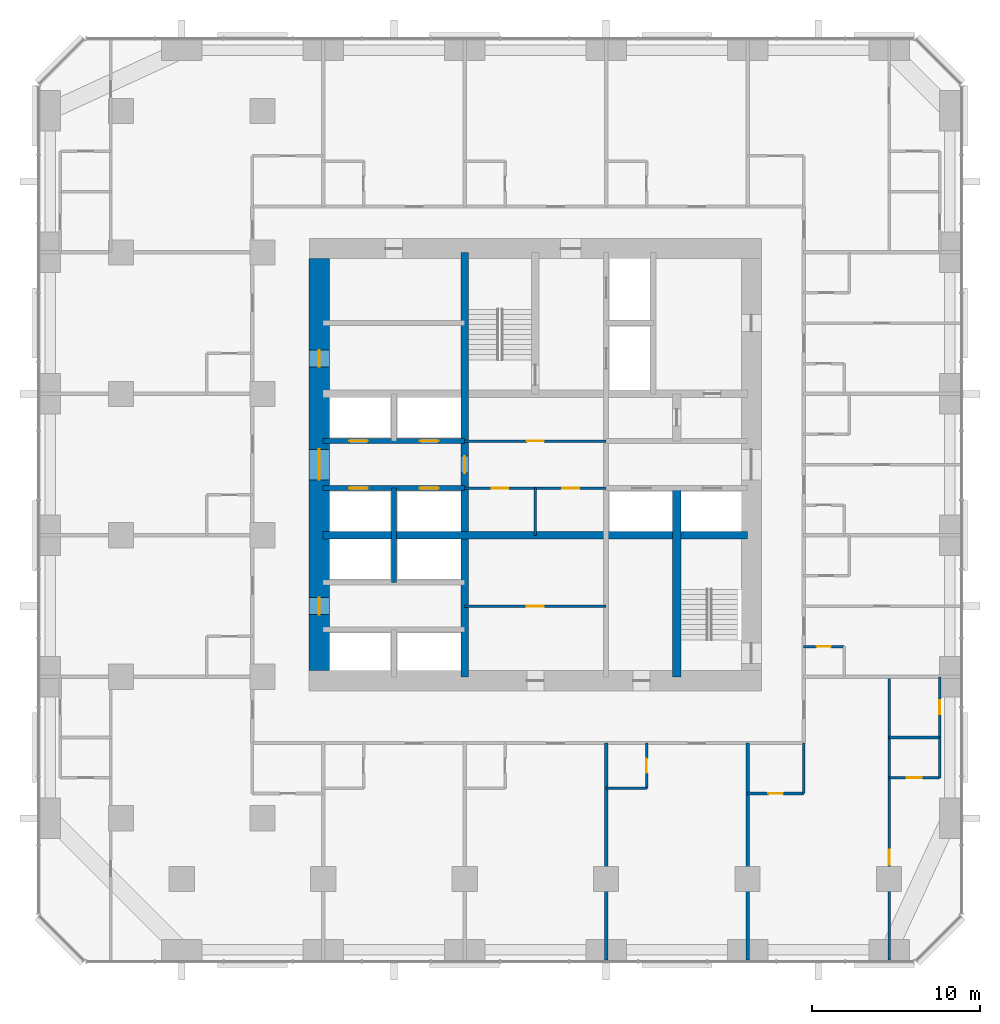
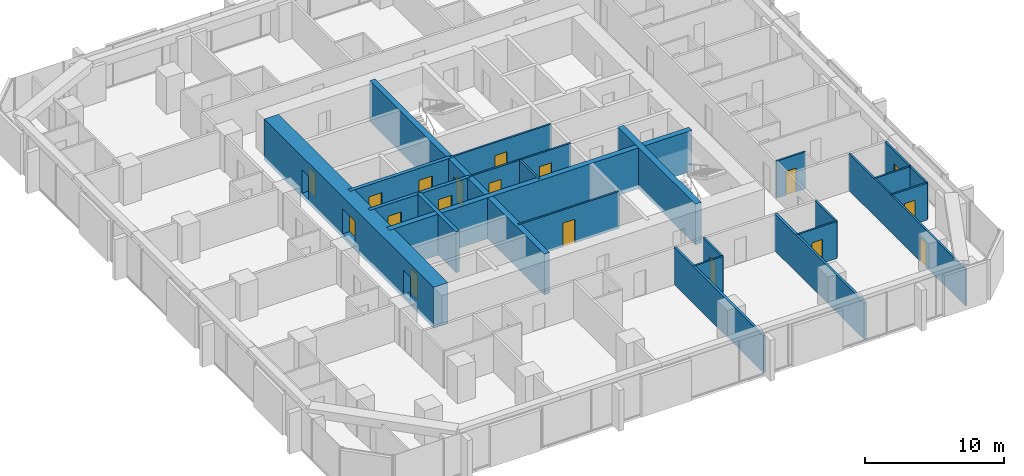
# One storey, part 9 of 13: 23 walls, 18 doors, 18 openings.
"""IFC4 building model written with IfcOpenShell, lengths in metres."""

import ifcopenshell
import ifcopenshell.guid

model = None  # the IFC model being written
_history = None  # IfcOwnerHistory: only IFC2X3 demands one
_inside = {}  # id of a spatial element -> (the spatial element, [elements in it])
_under = {}  # id of a project, library or spatial element -> (it, [spatial elements below it])
_declared = {}  # id of a project -> (the project, [libraries it declares])
_typed = {}  # id of a type object -> (the type object, [elements of that type])
_made_of = {}  # id of a material, layer set ... -> (it, [elements and type objects made of it])


def new_model(schema):
    """Start an empty IFC model of exactly this schema.

    Asked for "IFC4X3", IfcOpenShell would pick the latest addendum, in which some entities
    have other attributes; the version numbers below select the first issue.
    IFC2X3 requires an IfcOwnerHistory on every rooted entity: one is made here for all.
    """
    global model, _history
    if schema == "IFC4X3":
        model = ifcopenshell.file(schema_version=(4, 3, 0, 0))
    else:
        model = ifcopenshell.file(schema=schema)
    _inside.clear()
    _under.clear()
    _declared.clear()
    _typed.clear()
    _made_of.clear()
    _history = None
    if model.schema == "IFC2X3":
        org = make("IfcOrganization", Name="unknown")
        user = make(
            "IfcPersonAndOrganization",
            ThePerson=make("IfcPerson", FamilyName="unknown"),
            TheOrganization=org,
        )
        app = make(
            "IfcApplication",
            ApplicationDeveloper=org,
            Version="unknown",
            ApplicationFullName="unknown",
            ApplicationIdentifier="unknown",
        )
        _history = make(
            "IfcOwnerHistory",
            OwningUser=user,
            OwningApplication=app,
            ChangeAction="ADDED",
            CreationDate=0,
        )
    return model


def make(cls, **values):
    """One entity of the class cls with the attributes given. An attribute that is None is left unset."""
    return model.create_entity(
        cls, **{name: value for name, value in values.items() if value is not None}
    )


def rooted(cls, **values):
    """An entity with a GlobalId (a new one), such as an element, a storey or a relation."""
    return make(cls, GlobalId=ifcopenshell.guid.new(), OwnerHistory=_history, **values)


def si_unit(unit_type, name, prefix=None):
    """IfcSIUnit, for example si_unit("LENGTHUNIT", "METRE", prefix="MILLI")."""
    return make("IfcSIUnit", UnitType=unit_type, Prefix=prefix, Name=name)


def assignment(units):
    """IfcUnitAssignment: the units of a project."""
    return None if units is None else make("IfcUnitAssignment", Units=units)


def point(xyz):
    """IfcCartesianPoint."""
    return None if xyz is None else make("IfcCartesianPoint", Coordinates=xyz)


def direction(xyz):
    """IfcDirection."""
    return None if xyz is None else make("IfcDirection", DirectionRatios=xyz)


def frame(location, z_axis=None, x_axis=None):
    """IfcAxis2Placement3D, a coordinate frame: its origin and axes. An axis left out is left unset."""
    return make(
        "IfcAxis2Placement3D",
        Location=point(location),
        Axis=direction(z_axis),
        RefDirection=direction(x_axis),
    )


def frame_2d(location, x_axis=None):
    """IfcAxis2Placement2D, a coordinate frame in the plane: its origin and x axis."""
    return make(
        "IfcAxis2Placement2D", Location=point(location), RefDirection=direction(x_axis)
    )


def origin():
    """The frame at (0, 0, 0) with its axes left unset."""
    return frame((0.0, 0.0, 0.0))


def place(relative_to, where):
    """IfcLocalPlacement: puts the frame where relative to a parent placement (None: the world)."""
    return make(
        "IfcLocalPlacement", PlacementRelTo=relative_to, RelativePlacement=where
    )


def context(
    kind, dimensions, precision=None, world=None, true_north=None, identifier=None
):
    """IfcGeometricRepresentationContext, for example the 3D "Model" context."""
    return make(
        "IfcGeometricRepresentationContext",
        ContextIdentifier=identifier,
        ContextType=kind,
        CoordinateSpaceDimension=dimensions,
        Precision=precision,
        WorldCoordinateSystem=world,
        TrueNorth=true_north,
    )


def subcontext(parent, identifier, kind, view, scale=None):
    """IfcGeometricRepresentationSubContext, for example "Body" below "Model"."""
    return make(
        "IfcGeometricRepresentationSubContext",
        ContextIdentifier=identifier,
        ContextType=kind,
        ParentContext=parent,
        TargetScale=scale,
        TargetView=view,
    )


def project(units=None, contexts=None):
    """IfcProject with its units and contexts."""
    return rooted(
        "IfcProject",
        Name="project",
        RepresentationContexts=contexts,
        UnitsInContext=assignment(units),
    )


def spatial(cls, under=None, at=None, **own):
    """A site, building, storey or space (cls), placed at a placement, below another one or the project."""
    s = rooted(cls, ObjectPlacement=at, **own)
    if under is not None:
        _under.setdefault(under.id(), (under, []))[1].append(s)
    return s


def profile(cls, at=None, kind="AREA", **sizes):
    """A parametric profile (cls). Its sizes go by their IFC names, for example OverallWidth=200.0."""
    return make(cls, ProfileType=kind, Position=at, **sizes)


def rectangle(**sizes):
    """IfcRectangleProfileDef."""
    return profile("IfcRectangleProfileDef", **sizes)


def extrude(swept, where, along, depth):
    """IfcExtrudedAreaSolid: the profile swept, set in the frame where, extruded along a direction by depth."""
    return make(
        "IfcExtrudedAreaSolid",
        SweptArea=swept,
        Position=where,
        ExtrudedDirection=direction(along),
        Depth=depth,
    )


def shape(context_of_items, identifier, shape_type, items):
    """IfcShapeRepresentation: the items that make up one representation, for example the "Body"."""
    return make(
        "IfcShapeRepresentation",
        ContextOfItems=context_of_items,
        RepresentationIdentifier=identifier,
        RepresentationType=shape_type,
        Items=items,
    )


def material(Name=None, Category=None):
    """IfcMaterial."""
    return make("IfcMaterial", Name=Name, Category=Category)


def layer(
    of_material, thickness, ventilated=None, Name=None, Category=None, Priority=None
):
    """IfcMaterialLayer: one layer of a wall or slab, of a material (None: an air gap)."""
    return make(
        "IfcMaterialLayer",
        Material=of_material,
        LayerThickness=thickness,
        IsVentilated=ventilated,
        Name=Name,
        Category=Category,
        Priority=Priority,
    )


def layer_set(layers, Name=None):
    """IfcMaterialLayerSet."""
    return make("IfcMaterialLayerSet", MaterialLayers=layers, LayerSetName=Name)


def made_of(thing, what):
    """Note that an element or type object is made of a material, layer set ...; save() writes the relation."""
    if what is not None:
        _made_of.setdefault(what.id(), (what, []))[1].append(thing)
    return thing


def type_object(cls, material=None, **own):
    """A type object (cls), such as IfcWallType, which elements share."""
    return made_of(rooted(cls, **own), material)


def element(
    cls,
    number,
    at=None,
    inside=None,
    cuts=None,
    type_object=None,
    material=None,
    context=None,
    identifier="Body",
    shape_type=None,
    held_by="IfcProductDefinitionShape",
    body=None,
    shapes=None,
    **own,
):
    """One element of the class cls, such as IfcWall. Its Tag is "e" and its number.

    at: its placement. inside: the storey or other place that contains it. cuts: it is an
    opening in that element (IfcRelVoidsElement). A single representation is given by context,
    identifier, shape_type and body (its items); several are given by shapes. held_by: the class
    of the entity that holds the representations. save() writes the other relations.
    """
    e = rooted(cls, Tag="e%d" % number, ObjectPlacement=at, **own)
    if body is not None:
        shapes = [shape(context, identifier, shape_type, body)]
    if shapes is not None:
        e.Representation = make(held_by, Representations=shapes)
    if inside is not None:
        _inside.setdefault(inside.id(), (inside, []))[1].append(e)
    if cuts is not None:
        rooted(
            "IfcRelVoidsElement", RelatingBuildingElement=cuts, RelatedOpeningElement=e
        )
    if type_object is not None:
        _typed.setdefault(type_object.id(), (type_object, []))[1].append(e)
    return made_of(e, material)


def fill(opening, filler):
    """IfcRelFillsElement: the door or window that sits in an opening."""
    return rooted(
        "IfcRelFillsElement",
        RelatingOpeningElement=opening,
        RelatedBuildingElement=filler,
    )


def aggregate(whole, parts):
    """IfcRelAggregates: a whole, such as a stair, and the parts it consists of."""
    return rooted("IfcRelAggregates", RelatingObject=whole, RelatedObjects=parts)


def save(model, path):
    """Write the relations noted so far, then the file.

    IfcRelAggregates (storeys below a building ...), IfcRelContainedInSpatialStructure (elements
    in a storey), IfcRelDefinesByType, IfcRelAssociatesMaterial and IfcRelDeclares: one each for
    every whole, place, type object, material and project.
    """
    for whole, parts in _under.values():
        aggregate(whole, parts)
    for where, things in _inside.values():
        rooted(
            "IfcRelContainedInSpatialStructure",
            RelatedElements=things,
            RelatingStructure=where,
        )
    for kind, things in _typed.values():
        rooted("IfcRelDefinesByType", RelatedObjects=things, RelatingType=kind)
    for what, things in _made_of.values():
        rooted("IfcRelAssociatesMaterial", RelatedObjects=things, RelatingMaterial=what)
    for by, libraries in _declared.values():
        rooted("IfcRelDeclares", RelatingContext=by, RelatedDefinitions=libraries)
    model.write(path)


model = new_model("IFC4")

# Units and contexts
model_context = context("Model", 3, precision=1e-05, world=origin(), true_north=direction((0.0, 1.0)))
body_context = subcontext(model_context, "Body", "Model", "MODEL_VIEW")
ifc_project = project(units=[si_unit("LENGTHUNIT", "METRE"), si_unit("AREAUNIT", "SQUARE_METRE"), si_unit("VOLUMEUNIT", "CUBIC_METRE"), si_unit("PLANEANGLEUNIT", "RADIAN"), si_unit("MASSUNIT", "GRAM", prefix="KILO")], contexts=[model_context])

# Site, building, storey
site_placement = place(None, origin())
site = spatial("IfcSite", under=ifc_project, at=site_placement, CompositionType="ELEMENT")
building_placement = place(site_placement, origin())
building = spatial("IfcBuilding", under=site, at=building_placement, Name="Dunama Terrace Hotel", CompositionType="ELEMENT")
storey_placement = place(building_placement, frame((0.0, 0.0, 115.199951171875)))
storey = spatial("IfcBuildingStorey", under=building, at=storey_placement, Name="L29", CompositionType="ELEMENT", Elevation=115.199951171875)

# Wall, opening, door
ifc_material_1 = material(Name="Gypsum board partition", Category="masonry")
ifc_layer_1 = layer(ifc_material_1, 0.14990234375)
ifc_layer_set_1 = layer_set([ifc_layer_1], Name="Bathroom partition 150")
wall_type_1 = type_object("IfcWallType", Name="Bathroom partition 150", PredefinedType="PARTITIONING", material=ifc_layer_set_1)
wall_1_placement = place(storey_placement, frame((36.0, 10.175048828125, 0.0), z_axis=(0.0, 0.0, 1.0), x_axis=(0.0, 1.0, 0.0)))
wall_1 = element("IfcWall", 1, at=wall_1_placement, inside=storey, type_object=wall_type_1, Name="Bathroom partition 150 L29", PredefinedType="PARTITIONING", context=body_context, shape_type="SweptSolid", body=[
    extrude(rectangle(XDim=2.699951171875, YDim=0.14990234375, at=frame_2d((1.35009765625, 0.0))), origin(), (0.0, 0.0, 1.0), 3.25),
])
opening_1_placement = place(wall_1_placement, frame((0.925048828125, 0.0, 0.0)))
opening_1 = element("IfcOpeningElement", 2, at=opening_1_placement, cuts=wall_1, Name="Opening L28-29-016", PredefinedType="OPENING", context=body_context, shape_type="SweptSolid", body=[
    extrude(rectangle(XDim=0.85009765625, YDim=2.10009765625, at=frame_2d((0.425048828125, 1.050048828125))), frame((0.0, 0.0849609375, 0.0), z_axis=(0.0, -1.0, 0.0), x_axis=(1.0, 0.0, 0.0)), (0.0, 0.0, 1.0), 0.169921875),
])
ifc_material_2 = material(Name="Timber door with steel frame", Category="steel")
door_type_1 = type_object("IfcDoorType", Name="Bathroom door 850", OperationType="SINGLE_SWING_LEFT", PredefinedType="DOOR", material=ifc_material_2)
door_1_placement = place(opening_1_placement, origin())
door_1 = element("IfcDoor", 3, at=door_1_placement, inside=storey, type_object=door_type_1, Name="Door to en-suite bathroom L28-29-016, type D2", OperationType="SINGLE_SWING_RIGHT", OverallHeight=2.10009765625, OverallWidth=0.85009765625, PredefinedType="DOOR", context=body_context, shape_type="SweptSolid", body=[
    extrude(rectangle(XDim=0.85009765625, YDim=2.10009765625, at=frame_2d((0.425048828125, 1.050048828125))), frame((0.0, 0.02490234375, 0.0), z_axis=(0.0, -1.0, 0.0), x_axis=(1.0, 0.0, 0.0)), (0.0, 0.0, 1.0), 0.050048828125),
])
fill(opening_1, door_1)

# Wall
wall_2_placement = place(storey_placement, frame((45.324951171875, 9.875, 0.0), z_axis=(0.0, 0.0, 1.0), x_axis=(0.0, 1.0, 0.0)))
element("IfcWall", 4, at=wall_2_placement, inside=storey, type_object=wall_type_1, Name="Bathroom partition 150 L29", PredefinedType="PARTITIONING", context=body_context, shape_type="SweptSolid", body=[
    extrude(rectangle(XDim=3.0, YDim=0.14990234375, at=frame_2d((1.5, 0.0))), origin(), (0.0, 0.0, 1.0), 3.25),
])

# Wall, opening, door
wall_3_placement = place(storey_placement, frame((53.39990234375, 13.199951171875, 0.0), z_axis=(0.0, 0.0, 1.0), x_axis=(0.0, 1.0, 0.0)))
wall_3 = element("IfcWall", 5, at=wall_3_placement, inside=storey, type_object=wall_type_1, Name="Bathroom partition 150 L29", PredefinedType="PARTITIONING", context=body_context, shape_type="SweptSolid", body=[
    extrude(rectangle(XDim=3.60009765625, YDim=0.14990234375, at=frame_2d((1.800048828125, 0.0))), origin(), (0.0, 0.0, 1.0), 3.25),
])
opening_2_placement = place(wall_3_placement, frame((1.375, 0.0, 0.0)))
opening_2 = element("IfcOpeningElement", 6, at=opening_2_placement, cuts=wall_3, Name="Opening L28-29-049", PredefinedType="OPENING", context=body_context, shape_type="SweptSolid", body=[
    extrude(rectangle(XDim=0.85009765625, YDim=2.10009765625, at=frame_2d((0.425048828125, 1.050048828125))), frame((0.0, 0.0849609375, 0.0), z_axis=(0.0, -1.0, 0.0), x_axis=(1.0, 0.0, 0.0)), (0.0, 0.0, 1.0), 0.169921875),
])
door_2_placement = place(opening_2_placement, origin())
door_2 = element("IfcDoor", 7, at=door_2_placement, inside=storey, type_object=door_type_1, Name="Door to en-suite bathroom L28-29-049, type D2", OperationType="SINGLE_SWING_RIGHT", OverallHeight=2.10009765625, OverallWidth=0.85009765625, PredefinedType="DOOR", context=body_context, shape_type="SweptSolid", body=[
    extrude(rectangle(XDim=0.85009765625, YDim=2.10009765625, at=frame_2d((0.425048828125, 1.050048828125))), frame((0.0, 0.02490234375, 0.0), z_axis=(0.0, -1.0, 0.0), x_axis=(1.0, 0.0, 0.0)), (0.0, 0.0, 1.0), 0.050048828125),
])
fill(opening_2, door_2)

wall_4_placement = place(storey_placement, frame((42.0, 9.875, 0.0), z_axis=(0.0, 0.0, 1.0), x_axis=(1.0, 0.0, 0.0)))
wall_4 = element("IfcWall", 8, at=wall_4_placement, inside=storey, type_object=wall_type_1, Name="Bathroom partition 150 L29", PredefinedType="PARTITIONING", context=body_context, shape_type="SweptSolid", body=[
    extrude(rectangle(XDim=3.324951171875, YDim=0.14990234375, at=frame_2d((1.66259765625, 0.0))), origin(), (0.0, 0.0, 1.0), 3.25),
])
opening_3_placement = place(wall_4_placement, frame((1.238037109375, 0.0, 0.0)))
opening_3 = element("IfcOpeningElement", 9, at=opening_3_placement, cuts=wall_4, Name="Opening L28-29-047", PredefinedType="OPENING", context=body_context, shape_type="SweptSolid", body=[
    extrude(rectangle(XDim=0.85009765625, YDim=2.10009765625, at=frame_2d((0.425048828125, 1.050048828125))), frame((0.0, 0.0849609375, 0.0), z_axis=(0.0, -1.0, 0.0), x_axis=(1.0, 0.0, 0.0)), (0.0, 0.0, 1.0), 0.169921875),
])
door_3_placement = place(opening_3_placement, origin())
door_3 = element("IfcDoor", 10, at=door_3_placement, inside=storey, type_object=door_type_1, Name="Door to powder room L28-29-047, type D2", OperationType="SINGLE_SWING_LEFT", OverallHeight=2.10009765625, OverallWidth=0.85009765625, PredefinedType="DOOR", context=body_context, shape_type="SweptSolid", body=[
    extrude(rectangle(XDim=0.85009765625, YDim=2.10009765625, at=frame_2d((0.425048828125, 1.050048828125))), frame((0.0, 0.02490234375, 0.0), z_axis=(0.0, -1.0, 0.0), x_axis=(1.0, 0.0, 0.0)), (0.0, 0.0, 1.0), 0.050048828125),
])
fill(opening_3, door_3)

# Wall
wall_5_placement = place(storey_placement, frame((33.60009765625, 10.175048828125, 0.0), z_axis=(0.0, 0.0, 1.0), x_axis=(1.0, 0.0, 0.0)))
element("IfcWall", 11, at=wall_5_placement, inside=storey, type_object=wall_type_1, Name="Bathroom partition 150 L29", PredefinedType="PARTITIONING", context=body_context, shape_type="SweptSolid", body=[
    extrude(rectangle(XDim=2.39990234375, YDim=0.14990234375, at=frame_2d((1.199951171875, 0.0))), origin(), (0.0, 0.0, 1.0), 3.25),
])

# Wall, opening, door
wall_6_placement = place(storey_placement, frame((45.324951171875, 18.60009765625, 0.0), z_axis=(0.0, 0.0, 1.0), x_axis=(1.0, 0.0, 0.0)))
wall_6 = element("IfcWall", 12, at=wall_6_placement, inside=storey, type_object=wall_type_1, Name="Bathroom partition 150 L29", PredefinedType="PARTITIONING", context=body_context, shape_type="SweptSolid", body=[
    extrude(rectangle(XDim=2.400146484375, YDim=0.14990234375, at=frame_2d((1.2001953125, 0.0))), origin(), (0.0, 0.0, 1.0), 3.25),
])
opening_4_placement = place(wall_6_placement, frame((0.77490234375, 0.0, 0.0)))
opening_4 = element("IfcOpeningElement", 13, at=opening_4_placement, cuts=wall_6, Name="Opening L28-29-018", PredefinedType="OPENING", context=body_context, shape_type="SweptSolid", body=[
    extrude(rectangle(XDim=0.85009765625, YDim=2.10009765625, at=frame_2d((0.425048828125, 1.050048828125))), frame((0.0, 0.0849609375, 0.0), z_axis=(0.0, -1.0, 0.0), x_axis=(1.0, 0.0, 0.0)), (0.0, 0.0, 1.0), 0.169921875),
])
door_4_placement = place(opening_4_placement, frame((0.85009765625, 0.0, 0.0), z_axis=(0.0, 0.0, 1.0), x_axis=(-1.0, 0.0, 0.0)))
door_4 = element("IfcDoor", 14, at=door_4_placement, inside=storey, type_object=door_type_1, Name="Door to powder room L28-29-018, type D2", OperationType="SINGLE_SWING_RIGHT", OverallHeight=2.10009765625, OverallWidth=0.85009765625, PredefinedType="DOOR", context=body_context, shape_type="SweptSolid", body=[
    extrude(rectangle(XDim=0.85009765625, YDim=2.10009765625, at=frame_2d((0.425048828125, 1.050048828125))), frame((0.0, 0.025146484375, 0.0), z_axis=(0.0, -1.0, 0.0), x_axis=(1.0, 0.0, 0.0)), (0.0, 0.0, 1.0), 0.050048828125),
])
fill(opening_4, door_4)

# Wall
ifc_material_3 = material(Name="Concrete C50/60", Category="concrete")
ifc_layer_2 = layer(ifc_material_3, 0.300048828125)
ifc_layer_set_2 = layer_set([ifc_layer_2], Name="Core inner wall 300")
wall_type_2 = type_object("IfcWallType", Name="Core inner wall 300", PredefinedType="SHEAR", material=ifc_layer_set_2)
wall_7_placement = place(storey_placement, frame((21.0, 22.39990234375, -0.349853515625), z_axis=(0.0, 0.0, 1.0), x_axis=(0.0, 1.0, 0.0)))
element("IfcWall", 15, at=wall_7_placement, inside=storey, type_object=wall_type_2, Name="Core inner wall 300 L29", PredefinedType="SHEAR", context=body_context, shape_type="SweptSolid", body=[
    extrude(rectangle(XDim=5.60009765625, YDim=0.300048828125, at=frame_2d((2.800048828125, 0.0))), origin(), (0.0, 0.0, 1.0), 3.599853515625),
])

# Wall, openings, doors
wall_8_placement = place(storey_placement, frame((16.800048828125, 28.0, -0.349853515625), z_axis=(0.0, 0.0, 1.0), x_axis=(1.0, 0.0, 0.0)))
wall_8 = element("IfcWall", 16, at=wall_8_placement, inside=storey, type_object=wall_type_2, Name="Core inner wall 300 L29", PredefinedType="SHEAR", context=body_context, shape_type="SweptSolid", body=[
    extrude(rectangle(XDim=8.39990234375, YDim=0.300048828125, at=frame_2d((4.199951171875, 0.0))), origin(), (0.0, 0.0, 1.0), 3.599853515625),
])
opening_5_placement = place(wall_8_placement, frame((1.550048828125, 0.0, 0.35009765625)))
opening_5 = element("IfcOpeningElement", 17, at=opening_5_placement, cuts=wall_8, Name="Opening L28-29-005", PredefinedType="OPENING", context=body_context, shape_type="SweptSolid", body=[
    extrude(rectangle(XDim=1.10009765625, YDim=2.199951171875, at=frame_2d((0.550048828125, 1.10009765625))), frame((0.0, 0.159912109375, 0.0), z_axis=(0.0, -1.0, 0.0), x_axis=(1.0, 0.0, 0.0)), (0.0, 0.0, 1.0), 0.320068359375),
])
opening_6_placement = place(wall_8_placement, frame((5.75, 0.0, 0.35009765625)))
opening_6 = element("IfcOpeningElement", 18, at=opening_6_placement, cuts=wall_8, Name="Opening L28-29-006", PredefinedType="OPENING", context=body_context, shape_type="SweptSolid", body=[
    extrude(rectangle(XDim=1.10009765625, YDim=2.199951171875, at=frame_2d((0.550048828125, 1.10009765625))), frame((0.0, 0.159912109375, 0.0), z_axis=(0.0, -1.0, 0.0), x_axis=(1.0, 0.0, 0.0)), (0.0, 0.0, 1.0), 0.320068359375),
])
ifc_material_4 = material(Name="Stainless steel lift door", Category="steel")
door_type_2 = type_object("IfcDoorType", Name="Lift landing door 1100", OperationType="DOUBLE_DOOR_SLIDING", PredefinedType="DOOR", material=ifc_material_4)
door_5_placement = place(opening_5_placement, origin())
door_5 = element("IfcDoor", 19, at=door_5_placement, inside=storey, type_object=door_type_2, Name="Landing door PC1 L28-29-005, type LD1", OperationType="DOUBLE_DOOR_SLIDING", OverallHeight=2.199951171875, OverallWidth=1.10009765625, PredefinedType="DOOR", context=body_context, shape_type="SweptSolid", body=[
    extrude(rectangle(XDim=1.10009765625, YDim=2.199951171875, at=frame_2d((0.550048828125, 1.10009765625))), frame((0.0, 0.02490234375, 0.0), z_axis=(0.0, -1.0, 0.0), x_axis=(1.0, 0.0, 0.0)), (0.0, 0.0, 1.0), 0.050048828125),
])
fill(opening_5, door_5)
door_6_placement = place(opening_6_placement, origin())
door_6 = element("IfcDoor", 20, at=door_6_placement, inside=storey, type_object=door_type_2, Name="Landing door PC2 L28-29-006, type LD1", OperationType="DOUBLE_DOOR_SLIDING", OverallHeight=2.199951171875, OverallWidth=1.10009765625, PredefinedType="DOOR", context=body_context, shape_type="SweptSolid", body=[
    extrude(rectangle(XDim=1.10009765625, YDim=2.199951171875, at=frame_2d((0.550048828125, 1.10009765625))), frame((0.0, 0.02490234375, 0.0), z_axis=(0.0, -1.0, 0.0), x_axis=(1.0, 0.0, 0.0)), (0.0, 0.0, 1.0), 0.050048828125),
])
fill(opening_6, door_6)

wall_9_placement = place(storey_placement, frame((16.800048828125, 30.800048828125, -0.349853515625), z_axis=(0.0, 0.0, 1.0), x_axis=(1.0, 0.0, 0.0)))
wall_9 = element("IfcWall", 21, at=wall_9_placement, inside=storey, type_object=wall_type_2, Name="Core inner wall 300 L29", PredefinedType="SHEAR", context=body_context, shape_type="SweptSolid", body=[
    extrude(rectangle(XDim=8.39990234375, YDim=0.300048828125, at=frame_2d((4.199951171875, 0.0))), origin(), (0.0, 0.0, 1.0), 3.599853515625),
])
opening_7_placement = place(wall_9_placement, frame((1.550048828125, 0.0, 0.35009765625)))
opening_7 = element("IfcOpeningElement", 22, at=opening_7_placement, cuts=wall_9, Name="Opening L28-29-007", PredefinedType="OPENING", context=body_context, shape_type="SweptSolid", body=[
    extrude(rectangle(XDim=1.10009765625, YDim=2.199951171875, at=frame_2d((0.550048828125, 1.10009765625))), frame((0.0, 0.159912109375, 0.0), z_axis=(0.0, -1.0, 0.0), x_axis=(1.0, 0.0, 0.0)), (0.0, 0.0, 1.0), 0.320068359375),
])
opening_8_placement = place(wall_9_placement, frame((5.75, 0.0, 0.35009765625)))
opening_8 = element("IfcOpeningElement", 23, at=opening_8_placement, cuts=wall_9, Name="Opening L28-29-008", PredefinedType="OPENING", context=body_context, shape_type="SweptSolid", body=[
    extrude(rectangle(XDim=1.10009765625, YDim=2.199951171875, at=frame_2d((0.550048828125, 1.10009765625))), frame((0.0, 0.159912109375, 0.0), z_axis=(0.0, -1.0, 0.0), x_axis=(1.0, 0.0, 0.0)), (0.0, 0.0, 1.0), 0.320068359375),
])
door_7_placement = place(opening_7_placement, origin())
door_7 = element("IfcDoor", 24, at=door_7_placement, inside=storey, type_object=door_type_2, Name="Landing door PC3 L28-29-007, type LD1", OperationType="DOUBLE_DOOR_SLIDING", OverallHeight=2.199951171875, OverallWidth=1.10009765625, PredefinedType="DOOR", context=body_context, shape_type="SweptSolid", body=[
    extrude(rectangle(XDim=1.10009765625, YDim=2.199951171875, at=frame_2d((0.550048828125, 1.10009765625))), frame((0.0, 0.02490234375, 0.0), z_axis=(0.0, -1.0, 0.0), x_axis=(1.0, 0.0, 0.0)), (0.0, 0.0, 1.0), 0.050048828125),
])
fill(opening_7, door_7)
door_8_placement = place(opening_8_placement, origin())
door_8 = element("IfcDoor", 25, at=door_8_placement, inside=storey, type_object=door_type_2, Name="Landing door PC4 L28-29-008, type LD1", OperationType="DOUBLE_DOOR_SLIDING", OverallHeight=2.199951171875, OverallWidth=1.10009765625, PredefinedType="DOOR", context=body_context, shape_type="SweptSolid", body=[
    extrude(rectangle(XDim=1.10009765625, YDim=2.199951171875, at=frame_2d((0.550048828125, 1.10009765625))), frame((0.0, 0.02490234375, 0.0), z_axis=(0.0, -1.0, 0.0), x_axis=(1.0, 0.0, 0.0)), (0.0, 0.0, 1.0), 0.050048828125),
])
fill(opening_8, door_8)

# Wall, opening, door
ifc_material_5 = material(Name="Concrete C50/60", Category="concrete")
ifc_layer_3 = layer(ifc_material_5, 0.449951171875)
ifc_layer_set_3 = layer_set([ifc_layer_3], Name="Core inner wall 450")
wall_type_3 = type_object("IfcWallType", Name="Core inner wall 450", PredefinedType="SHEAR", material=ifc_layer_set_3)
wall_10_placement = place(storey_placement, frame((25.199951171875, 16.800048828125, -0.349853515625), z_axis=(0.0, 0.0, 1.0), x_axis=(0.0, 1.0, 0.0)))
wall_10 = element("IfcWall", 26, at=wall_10_placement, inside=storey, type_object=wall_type_3, Name="Core inner wall 450 L29", PredefinedType="SHEAR", context=body_context, shape_type="SweptSolid", body=[
    extrude(rectangle(XDim=25.199951171875, YDim=0.449951171875, at=frame_2d((12.60009765625, 0.0))), origin(), (0.0, 0.0, 1.0), 3.599853515625),
])
opening_9_placement = place(wall_10_placement, frame((12.10009765625, 0.0, 0.35009765625)))
opening_9 = element("IfcOpeningElement", 27, at=opening_9_placement, cuts=wall_10, Name="Opening L28-29-065", PredefinedType="OPENING", context=body_context, shape_type="SweptSolid", body=[
    extrude(rectangle(XDim=1.0, YDim=2.10009765625, at=frame_2d((0.5, 1.050048828125))), frame((0.0, 0.23486328125, 0.0), z_axis=(0.0, -1.0, 0.0), x_axis=(1.0, 0.0, 0.0)), (0.0, 0.0, 1.0), 0.469970703125),
])
ifc_material_6 = material(Name="Timber door with steel frame", Category="steel")
door_type_3 = type_object("IfcDoorType", Name="Service door 1000", OperationType="SINGLE_SWING_LEFT", PredefinedType="DOOR", material=ifc_material_6)
door_9_placement = place(opening_9_placement, origin())
door_9 = element("IfcDoor", 28, at=door_9_placement, inside=storey, type_object=door_type_3, Name="Door to guest services passage L28-29-065, type D7", OperationType="SINGLE_SWING_LEFT", OverallHeight=2.10009765625, OverallWidth=1.0, PredefinedType="DOOR", context=body_context, shape_type="SweptSolid", body=[
    extrude(rectangle(XDim=1.0, YDim=2.10009765625, at=frame_2d((0.5, 1.050048828125))), frame((0.0, 0.02490234375, 0.0), z_axis=(0.0, -1.0, 0.0), x_axis=(1.0, 0.0, 0.0)), (0.0, 0.0, 1.0), 0.050048828125),
])
fill(opening_9, door_9)

# Walls
wall_11_placement = place(storey_placement, frame((16.800048828125, 25.199951171875, -0.349853515625), z_axis=(0.0, 0.0, 1.0), x_axis=(1.0, 0.0, 0.0)))
element("IfcWall", 29, at=wall_11_placement, inside=storey, type_object=wall_type_3, Name="Core inner wall 450 L29", PredefinedType="SHEAR", context=body_context, shape_type="SweptSolid", body=[
    extrude(rectangle(XDim=25.199951171875, YDim=0.449951171875, at=frame_2d((12.60009765625, 0.0))), origin(), (0.0, 0.0, 1.0), 3.599853515625),
])
ifc_material_7 = material(Name="Concrete C50/60", Category="concrete")
ifc_layer_4 = layer(ifc_material_7, 0.5)
ifc_layer_set_4 = layer_set([ifc_layer_4], Name="Core inner wall 500")
wall_type_4 = type_object("IfcWallType", Name="Core inner wall 500", PredefinedType="SHEAR", material=ifc_layer_set_4)
wall_12_placement = place(storey_placement, frame((37.800048828125, 16.800048828125, -0.349853515625), z_axis=(0.0, 0.0, 1.0), x_axis=(0.0, 1.0, 0.0)))
element("IfcWall", 30, at=wall_12_placement, inside=storey, type_object=wall_type_4, Name="Core inner wall 500 L29", PredefinedType="SHEAR", context=body_context, shape_type="SweptSolid", body=[
    extrude(rectangle(XDim=11.199951171875, YDim=0.5, at=frame_2d((5.60009765625, 0.0))), origin(), (0.0, 0.0, 1.0), 3.599853515625),
])

# Wall, openings, doors
ifc_material_8 = material(Name="Concrete C60/75", Category="concrete")
ifc_layer_5 = layer(ifc_material_8, 1.199951171875)
ifc_layer_set_5 = layer_set([ifc_layer_5], Name="Core wall 1200")
wall_type_5 = type_object("IfcWallType", Name="Core wall 1200", PredefinedType="SHEAR", material=ifc_layer_set_5)
wall_13_placement = place(storey_placement, frame((16.574951171875, 41.625, -0.349853515625), z_axis=(0.0, 0.0, 1.0), x_axis=(0.0, -1.0, 0.0)))
wall_13 = element("IfcWall", 31, at=wall_13_placement, inside=storey, type_object=wall_type_5, Name="Core wall west L29", PredefinedType="SHEAR", context=body_context, shape_type="SweptSolid", body=[
    extrude(rectangle(XDim=24.449951171875, YDim=1.199951171875, at=frame_2d((12.22509765625, 0.0))), origin(), (0.0, 0.0, 1.0), 3.599853515625),
])
opening_10_placement = place(wall_13_placement, frame((11.324951171875, 0.0, 0.35009765625)))
opening_10 = element("IfcOpeningElement", 32, at=opening_10_placement, cuts=wall_13, Name="Opening L28-29-061", PredefinedType="OPENING", context=body_context, shape_type="SweptSolid", body=[
    extrude(rectangle(XDim=1.800048828125, YDim=2.199951171875, at=frame_2d((0.89990234375, 1.10009765625))), frame((0.0, 0.60986328125, 0.0), z_axis=(0.0, -1.0, 0.0), x_axis=(1.0, 0.0, 0.0)), (0.0, 0.0, 1.0), 1.219970703125),
])
opening_11_placement = place(wall_13_placement, frame((20.125, 0.0, 0.35009765625)))
opening_11 = element("IfcOpeningElement", 33, at=opening_11_placement, cuts=wall_13, Name="Opening L28-29-062", PredefinedType="OPENING", context=body_context, shape_type="SweptSolid", body=[
    extrude(rectangle(XDim=1.0, YDim=2.10009765625, at=frame_2d((0.5, 1.050048828125))), frame((0.0, 0.60986328125, 0.0), z_axis=(0.0, -1.0, 0.0), x_axis=(1.0, 0.0, 0.0)), (0.0, 0.0, 1.0), 1.219970703125),
])
opening_12_placement = place(wall_13_placement, frame((5.425048828125, 0.0, 0.35009765625)))
opening_12 = element("IfcOpeningElement", 34, at=opening_12_placement, cuts=wall_13, Name="Opening L28-29-063", PredefinedType="OPENING", context=body_context, shape_type="SweptSolid", body=[
    extrude(rectangle(XDim=1.0, YDim=2.10009765625, at=frame_2d((0.5, 1.050048828125))), frame((0.0, 0.60986328125, 0.0), z_axis=(0.0, -1.0, 0.0), x_axis=(1.0, 0.0, 0.0)), (0.0, 0.0, 1.0), 1.219970703125),
])
ifc_material_9 = material(Name="Timber door with steel frame", Category="steel")
door_type_4 = type_object("IfcDoorType", Name="Lift lobby double door 1800", OperationType="DOUBLE_DOOR_DOUBLE_SWING", PredefinedType="DOOR", material=ifc_material_9)
door_10_placement = place(opening_10_placement, origin())
door_10 = element("IfcDoor", 35, at=door_10_placement, inside=storey, type_object=door_type_4, Name="Door to lift lobby L28-29-061, type D3", OperationType="DOUBLE_DOOR_DOUBLE_SWING", OverallHeight=2.199951171875, OverallWidth=1.800048828125, PredefinedType="DOOR", context=body_context, shape_type="SweptSolid", body=[
    extrude(rectangle(XDim=1.800048828125, YDim=2.199951171875, at=frame_2d((0.89990234375, 1.10009765625))), frame((0.0, 0.02490234375, 0.0), z_axis=(0.0, -1.0, 0.0), x_axis=(1.0, 0.0, 0.0)), (0.0, 0.0, 1.0), 0.050048828125),
])
fill(opening_10, door_10)
door_11_placement = place(opening_11_placement, origin())
door_11 = element("IfcDoor", 36, at=door_11_placement, inside=storey, type_object=door_type_3, Name="Door to service lobby L28-29-062, type D7", OperationType="SINGLE_SWING_LEFT", OverallHeight=2.10009765625, OverallWidth=1.0, PredefinedType="DOOR", context=body_context, shape_type="SweptSolid", body=[
    extrude(rectangle(XDim=1.0, YDim=2.10009765625, at=frame_2d((0.5, 1.050048828125))), frame((0.0, 0.02490234375, 0.0), z_axis=(0.0, -1.0, 0.0), x_axis=(1.0, 0.0, 0.0)), (0.0, 0.0, 1.0), 0.050048828125),
])
fill(opening_11, door_11)
door_12_placement = place(opening_12_placement, origin())
door_12 = element("IfcDoor", 37, at=door_12_placement, inside=storey, type_object=door_type_3, Name="Door to electrical room L28-29-063, type D7", OperationType="SINGLE_SWING_RIGHT", OverallHeight=2.10009765625, OverallWidth=1.0, PredefinedType="DOOR", context=body_context, shape_type="SweptSolid", body=[
    extrude(rectangle(XDim=1.0, YDim=2.10009765625, at=frame_2d((0.5, 1.050048828125))), frame((0.0, 0.02490234375, 0.0), z_axis=(0.0, -1.0, 0.0), x_axis=(1.0, 0.0, 0.0)), (0.0, 0.0, 1.0), 0.050048828125),
])
fill(opening_12, door_12)

# Walls
ifc_material_10 = material(Name="Concrete blockwork", Category="masonry")
ifc_layer_6 = layer(ifc_material_10, 0.199951171875)
ifc_layer_set_6 = layer_set([ifc_layer_6], Name="Party wall 200")
wall_type_6 = type_object("IfcWallType", Name="Party wall 200", PredefinedType="PARTITIONING", material=ifc_layer_set_6)
for number, where, z_axis, x_axis, name in (
    (38, (33.60009765625, -0.01806640625, 0.0), (0.0, 0.0, 1.0), (0.0, 1.0, 0.0), "Party wall 200 L29"),
    (39, (42.0, -0.01806640625, 0.0), (0.0, 0.0, 1.0), (0.0, 1.0, 0.0), "Party wall 200 L29"),
):
    element("IfcWall", number, at=place(storey_placement, frame(where, z_axis=z_axis, x_axis=x_axis)), inside=storey, type_object=wall_type_6, Name=name, PredefinedType="PARTITIONING", context=body_context, shape_type="SweptSolid", body=[
        extrude(rectangle(XDim=12.89306640625, YDim=0.199951171875, at=frame_2d((6.446533203125, 0.0))), origin(), (0.0, 0.0, 1.0), 3.25),
    ])
ifc_material_11 = material(Name="Gypsum board partition", Category="masonry")
ifc_layer_7 = layer(ifc_material_11, 0.14990234375)
ifc_layer_set_7 = layer_set([ifc_layer_7], Name="Room partition 150")
wall_type_7 = type_object("IfcWallType", Name="Room partition 150", PredefinedType="PARTITIONING", material=ifc_layer_set_7)
wall_14_placement = place(storey_placement, frame((29.39990234375, 25.199951171875, 0.0), z_axis=(0.0, 0.0, 1.0), x_axis=(0.0, 1.0, 0.0)))
element("IfcWall", 40, at=wall_14_placement, inside=storey, type_object=wall_type_7, Name="Room partition 150 L29", PredefinedType="PARTITIONING", context=body_context, shape_type="SweptSolid", body=[
    extrude(rectangle(XDim=2.800048828125, YDim=0.14990234375, at=frame_2d((1.39990234375, 0.0))), origin(), (0.0, 0.0, 1.0), 3.25),
])

# Wall, opening, door
wall_15_placement = place(storey_placement, frame((50.39990234375, -0.01806640625, 0.0), z_axis=(0.0, 0.0, 1.0), x_axis=(0.0, 1.0, 0.0)))
wall_15 = element("IfcWall", 41, at=wall_15_placement, inside=storey, type_object=wall_type_7, Name="Room partition 150 L29", PredefinedType="PARTITIONING", context=body_context, shape_type="SweptSolid", body=[
    extrude(rectangle(XDim=16.818115234375, YDim=0.14990234375, at=frame_2d((8.4091796875, 0.0))), origin(), (0.0, 0.0, 1.0), 3.25),
])
opening_13_placement = place(wall_15_placement, frame((5.66796875, 0.0, 0.0)))
opening_13 = element("IfcOpeningElement", 42, at=opening_13_placement, cuts=wall_15, Name="Opening L28-29-048", PredefinedType="OPENING", context=body_context, shape_type="SweptSolid", body=[
    extrude(rectangle(XDim=0.89990234375, YDim=2.10009765625, at=frame_2d((0.449951171875, 1.050048828125))), frame((0.0, 0.0849609375, 0.0), z_axis=(0.0, -1.0, 0.0), x_axis=(1.0, 0.0, 0.0)), (0.0, 0.0, 1.0), 0.169921875),
])
ifc_material_12 = material(Name="Timber door with steel frame", Category="steel")
door_type_5 = type_object("IfcDoorType", Name="Suite internal door 900", OperationType="SINGLE_SWING_LEFT", PredefinedType="DOOR", material=ifc_material_12)
door_13_placement = place(opening_13_placement, frame((0.89990234375, 0.0, 0.0), z_axis=(0.0, 0.0, 1.0), x_axis=(-1.0, 0.0, 0.0)))
door_13 = element("IfcDoor", 43, at=door_13_placement, inside=storey, type_object=door_type_5, Name="Door to corner suite bedroom L28-29-048, type D16", OperationType="SINGLE_SWING_RIGHT", OverallHeight=2.10009765625, OverallWidth=0.89990234375, PredefinedType="DOOR", context=body_context, shape_type="SweptSolid", body=[
    extrude(rectangle(XDim=0.89990234375, YDim=2.10009765625, at=frame_2d((0.449951171875, 1.050048828125))), frame((0.0, 0.025146484375, 0.0), z_axis=(0.0, -1.0, 0.0), x_axis=(1.0, 0.0, 0.0)), (0.0, 0.0, 1.0), 0.050048828125),
])
fill(opening_13, door_13)

# Wall
wall_16_placement = place(storey_placement, frame((53.39990234375, 10.800048828125, 0.0), z_axis=(0.0, 0.0, 1.0), x_axis=(0.0, 1.0, 0.0)))
element("IfcWall", 44, at=wall_16_placement, inside=storey, type_object=wall_type_7, Name="Room partition 150 L29", PredefinedType="PARTITIONING", context=body_context, shape_type="SweptSolid", body=[
    extrude(rectangle(XDim=2.39990234375, YDim=0.14990234375, at=frame_2d((1.199951171875, 0.0))), origin(), (0.0, 0.0, 1.0), 3.25),
])

# Wall, opening, door
wall_17_placement = place(storey_placement, frame((50.39990234375, 10.800048828125, 0.0), z_axis=(0.0, 0.0, 1.0), x_axis=(1.0, 0.0, 0.0)))
wall_17 = element("IfcWall", 45, at=wall_17_placement, inside=storey, type_object=wall_type_7, Name="Room partition 150 L29", PredefinedType="PARTITIONING", context=body_context, shape_type="SweptSolid", body=[
    extrude(rectangle(XDim=3.0, YDim=0.14990234375, at=frame_2d((1.5, 0.0))), origin(), (0.0, 0.0, 1.0), 3.25),
])
opening_14_placement = place(wall_17_placement, frame((1.050048828125, 0.0, 0.0)))
opening_14 = element("IfcOpeningElement", 46, at=opening_14_placement, cuts=wall_17, Name="Opening L28-29-050", PredefinedType="OPENING", context=body_context, shape_type="SweptSolid", body=[
    extrude(rectangle(XDim=0.89990234375, YDim=2.10009765625, at=frame_2d((0.449951171875, 1.050048828125))), frame((0.0, 0.0849609375, 0.0), z_axis=(0.0, -1.0, 0.0), x_axis=(1.0, 0.0, 0.0)), (0.0, 0.0, 1.0), 0.169921875),
])
door_14_placement = place(opening_14_placement, origin())
door_14 = element("IfcDoor", 47, at=door_14_placement, inside=storey, type_object=door_type_5, Name="Door to dressing room L28-29-050, type D16", OperationType="SINGLE_SWING_LEFT", OverallHeight=2.10009765625, OverallWidth=0.89990234375, PredefinedType="DOOR", context=body_context, shape_type="SweptSolid", body=[
    extrude(rectangle(XDim=0.89990234375, YDim=2.10009765625, at=frame_2d((0.449951171875, 1.050048828125))), frame((0.0, 0.02490234375, 0.0), z_axis=(0.0, -1.0, 0.0), x_axis=(1.0, 0.0, 0.0)), (0.0, 0.0, 1.0), 0.050048828125),
])
fill(opening_14, door_14)

# Wall
wall_18_placement = place(storey_placement, frame((50.39990234375, 13.199951171875, 0.0), z_axis=(0.0, 0.0, 1.0), x_axis=(1.0, 0.0, 0.0)))
element("IfcWall", 48, at=wall_18_placement, inside=storey, type_object=wall_type_7, Name="Room partition 150 L29", PredefinedType="PARTITIONING", context=body_context, shape_type="SweptSolid", body=[
    extrude(rectangle(XDim=3.0, YDim=0.14990234375, at=frame_2d((1.5, 0.0))), origin(), (0.0, 0.0, 1.0), 3.25),
])

# Wall, opening, door
wall_19_placement = place(storey_placement, frame((25.199951171875, 21.0, 0.0), z_axis=(0.0, 0.0, 1.0), x_axis=(1.0, 0.0, 0.0)))
wall_19 = element("IfcWall", 49, at=wall_19_placement, inside=storey, type_object=wall_type_7, Name="Room partition 150 L29", PredefinedType="PARTITIONING", context=body_context, shape_type="SweptSolid", body=[
    extrude(rectangle(XDim=8.400146484375, YDim=0.14990234375, at=frame_2d((4.2001953125, 0.0))), origin(), (0.0, 0.0, 1.0), 3.25),
])
opening_15_placement = place(wall_19_placement, frame((3.699951171875, 0.0, 0.0)))
opening_15 = element("IfcOpeningElement", 50, at=opening_15_placement, cuts=wall_19, Name="Opening L28-29-075", PredefinedType="OPENING", context=body_context, shape_type="SweptSolid", body=[
    extrude(rectangle(XDim=1.0, YDim=2.10009765625, at=frame_2d((0.5, 1.050048828125))), frame((0.0, 0.0849609375, 0.0), z_axis=(0.0, -1.0, 0.0), x_axis=(1.0, 0.0, 0.0)), (0.0, 0.0, 1.0), 0.169921875),
])
door_15_placement = place(opening_15_placement, origin())
door_15 = element("IfcDoor", 51, at=door_15_placement, inside=storey, type_object=door_type_3, Name="Door to stair pressurisation fan room L28-29-075, type D7", OperationType="SINGLE_SWING_LEFT", OverallHeight=2.10009765625, OverallWidth=1.0, PredefinedType="DOOR", context=body_context, shape_type="SweptSolid", body=[
    extrude(rectangle(XDim=1.0, YDim=2.10009765625, at=frame_2d((0.5, 1.050048828125))), frame((0.0, 0.02490234375, 0.0), z_axis=(0.0, -1.0, 0.0), x_axis=(1.0, 0.0, 0.0)), (0.0, 0.0, 1.0), 0.050048828125),
])
fill(opening_15, door_15)

# Wall, openings, doors
wall_20_placement = place(storey_placement, frame((25.199951171875, 28.0, 0.0), z_axis=(0.0, 0.0, 1.0), x_axis=(1.0, 0.0, 0.0)))
wall_20 = element("IfcWall", 52, at=wall_20_placement, inside=storey, type_object=wall_type_7, Name="Room partition 150 L29", PredefinedType="PARTITIONING", context=body_context, shape_type="SweptSolid", body=[
    extrude(rectangle(XDim=8.400146484375, YDim=0.14990234375, at=frame_2d((4.2001953125, 0.0))), origin(), (0.0, 0.0, 1.0), 3.25),
])
opening_16_placement = place(wall_20_placement, frame((1.60009765625, 0.0, 0.0)))
opening_16 = element("IfcOpeningElement", 53, at=opening_16_placement, cuts=wall_20, Name="Opening L28-29-066", PredefinedType="OPENING", context=body_context, shape_type="SweptSolid", body=[
    extrude(rectangle(XDim=1.0, YDim=2.10009765625, at=frame_2d((0.5, 1.050048828125))), frame((0.0, 0.0849609375, 0.0), z_axis=(0.0, -1.0, 0.0), x_axis=(1.0, 0.0, 0.0)), (0.0, 0.0, 1.0), 0.169921875),
])
opening_17_placement = place(wall_20_placement, frame((5.800048828125, 0.0, 0.0)))
opening_17 = element("IfcOpeningElement", 54, at=opening_17_placement, cuts=wall_20, Name="Opening L28-29-067", PredefinedType="OPENING", context=body_context, shape_type="SweptSolid", body=[
    extrude(rectangle(XDim=1.0, YDim=2.10009765625, at=frame_2d((0.5, 1.050048828125))), frame((0.0, 0.0849609375, 0.0), z_axis=(0.0, -1.0, 0.0), x_axis=(1.0, 0.0, 0.0)), (0.0, 0.0, 1.0), 0.169921875),
])
door_16_placement = place(opening_16_placement, frame((1.0, 0.0, 0.0), z_axis=(0.0, 0.0, 1.0), x_axis=(-1.0, 0.0, 0.0)))
door_16 = element("IfcDoor", 55, at=door_16_placement, inside=storey, type_object=door_type_3, Name="Door to guest laundry room L28-29-066, type D7", OperationType="SINGLE_SWING_RIGHT", OverallHeight=2.10009765625, OverallWidth=1.0, PredefinedType="DOOR", context=body_context, shape_type="SweptSolid", body=[
    extrude(rectangle(XDim=1.0, YDim=2.10009765625, at=frame_2d((0.5, 1.050048828125))), frame((0.0, 0.025146484375, 0.0), z_axis=(0.0, -1.0, 0.0), x_axis=(1.0, 0.0, 0.0)), (0.0, 0.0, 1.0), 0.050048828125),
])
fill(opening_16, door_16)
door_17_placement = place(opening_17_placement, frame((1.0, 0.0, 0.0), z_axis=(0.0, 0.0, 1.0), x_axis=(-1.0, 0.0, 0.0)))
door_17 = element("IfcDoor", 56, at=door_17_placement, inside=storey, type_object=door_type_3, Name="Door to ice and vending room L28-29-067, type D7", OperationType="SINGLE_SWING_LEFT", OverallHeight=2.10009765625, OverallWidth=1.0, PredefinedType="DOOR", context=body_context, shape_type="SweptSolid", body=[
    extrude(rectangle(XDim=1.0, YDim=2.10009765625, at=frame_2d((0.5, 1.050048828125))), frame((0.0, 0.025146484375, 0.0), z_axis=(0.0, -1.0, 0.0), x_axis=(1.0, 0.0, 0.0)), (0.0, 0.0, 1.0), 0.050048828125),
])
fill(opening_17, door_17)

# Wall, opening, door
wall_21_placement = place(storey_placement, frame((25.199951171875, 30.800048828125, 0.0), z_axis=(0.0, 0.0, 1.0), x_axis=(1.0, 0.0, 0.0)))
wall_21 = element("IfcWall", 57, at=wall_21_placement, inside=storey, type_object=wall_type_7, Name="Room partition 150 L29", PredefinedType="PARTITIONING", context=body_context, shape_type="SweptSolid", body=[
    extrude(rectangle(XDim=8.400146484375, YDim=0.14990234375, at=frame_2d((4.2001953125, 0.0))), origin(), (0.0, 0.0, 1.0), 3.25),
])
opening_18_placement = place(wall_21_placement, frame((3.699951171875, 0.0, 0.0)))
opening_18 = element("IfcOpeningElement", 58, at=opening_18_placement, cuts=wall_21, Name="Opening L28-29-068", PredefinedType="OPENING", context=body_context, shape_type="SweptSolid", body=[
    extrude(rectangle(XDim=1.0, YDim=2.10009765625, at=frame_2d((0.5, 1.050048828125))), frame((0.0, 0.0849609375, 0.0), z_axis=(0.0, -1.0, 0.0), x_axis=(1.0, 0.0, 0.0)), (0.0, 0.0, 1.0), 0.169921875),
])
door_18_placement = place(opening_18_placement, origin())
door_18 = element("IfcDoor", 59, at=door_18_placement, inside=storey, type_object=door_type_3, Name="Door to guest pantry L28-29-068, type D7", OperationType="SINGLE_SWING_LEFT", OverallHeight=2.10009765625, OverallWidth=1.0, PredefinedType="DOOR", context=body_context, shape_type="SweptSolid", body=[
    extrude(rectangle(XDim=1.0, YDim=2.10009765625, at=frame_2d((0.5, 1.050048828125))), frame((0.0, 0.02490234375, 0.0), z_axis=(0.0, -1.0, 0.0), x_axis=(1.0, 0.0, 0.0)), (0.0, 0.0, 1.0), 0.050048828125),
])
fill(opening_18, door_18)

save(model, "model.ifc")
